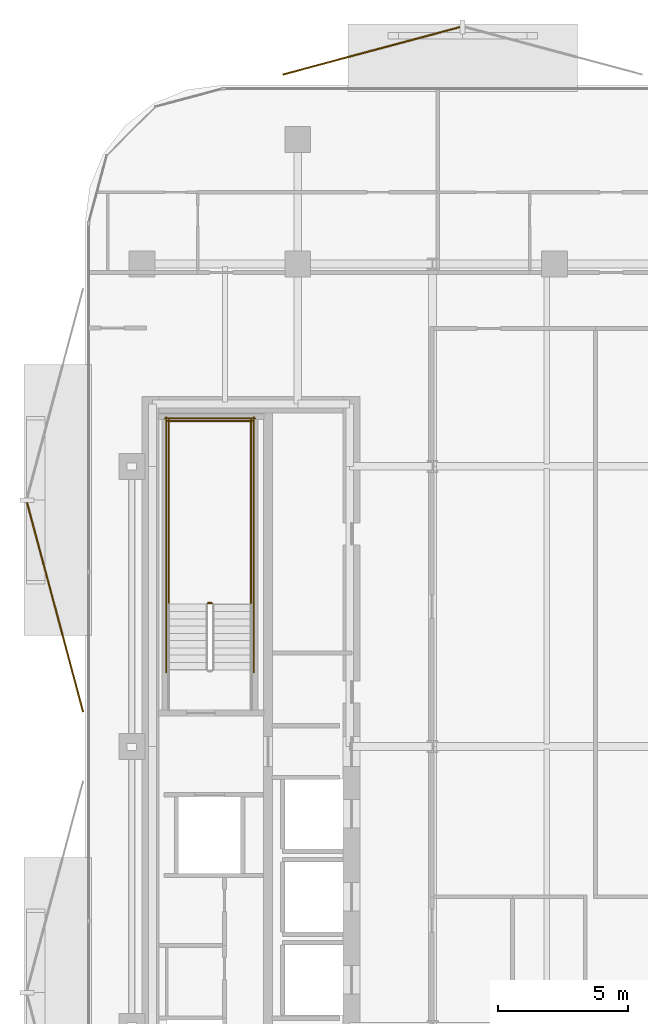
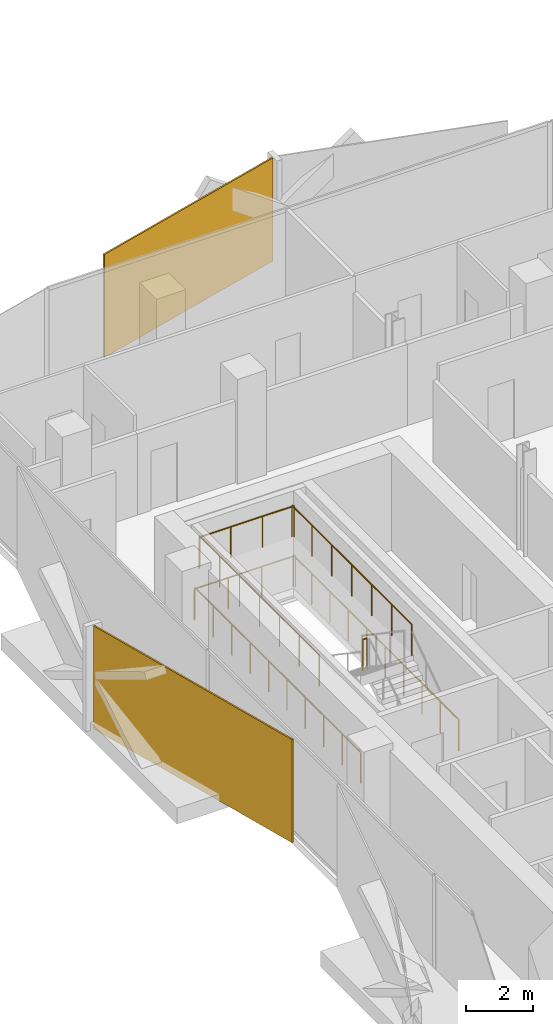
# One storey, part 15 of 16: 7 railings, 2 coverings.
"""IFC4 building model written with IfcOpenShell, lengths in metres."""

from ifc_helpers import new_model, si_unit, direction, frame, origin, origin_2d, place, context, subcontext, project, spatial, rectangle, circle, extrude, material, layer, layer_set, type_object, element, save


model = new_model("IFC4")

# Units and contexts
model_context = context("Model", 3, precision=1e-05, world=origin(), true_north=direction((0.0, 1.0)))
body_context = subcontext(model_context, "Body", "Model", "MODEL_VIEW")
ifc_project = project(units=[si_unit("LENGTHUNIT", "METRE"), si_unit("AREAUNIT", "SQUARE_METRE"), si_unit("VOLUMEUNIT", "CUBIC_METRE"), si_unit("PLANEANGLEUNIT", "RADIAN"), si_unit("MASSUNIT", "GRAM", prefix="KILO")], contexts=[model_context])

# Site, building, storey
site_placement = place(None, origin())
site = spatial("IfcSite", under=ifc_project, at=site_placement, CompositionType="ELEMENT")
building_placement = place(site_placement, origin())
building = spatial("IfcBuilding", under=site, at=building_placement, Name="Khairoan Windgate Tower", CompositionType="ELEMENT")
storey_placement = place(building_placement, frame((0.0, 0.0, 187.800048828125)))
storey = spatial("IfcBuildingStorey", under=building, at=storey_placement, Name="L43", CompositionType="ELEMENT", Elevation=187.800048828125)

# Coverings
ifc_material_1 = material(Name="Anodised Bronze Aluminium 6063-T6", Category="aluminium")
ifc_layer = layer(ifc_material_1, 0.054931640625, Name="Anodised Bronze Aluminium 6063-T6")
ifc_layer_set = layer_set([ifc_layer], Name="Anodised Bronze Aluminium 6063-T6")
covering_type = type_object("IfcCoveringType", Name="Perforated Bronze-Ceramic Folded Solar Screen Cladding BSC-1", PredefinedType="CLADDING", material=ifc_layer_set)
covering_1_placement = place(storey_placement, frame((-23.7587890625, 5.369873046875, -0.10009765625), z_axis=(0.0, 0.0, 1.0), x_axis=(-0.258819045103, 0.965925826289, 0.0)))
element("IfcCovering", 1, at=covering_1_placement, inside=storey, type_object=covering_type, Name="L43 Folded Bronze Solar Screen Facet 284L", PredefinedType="CLADDING", context=body_context, shape_type="SweptSolid", body=[
    extrude(rectangle(XDim=8.35595703125, YDim=0.054931640625, at=origin_2d()), origin(), (0.0, 0.0, 1.0), 3.739990234375),
])
covering_2_placement = place(storey_placement, frame((-11.5546875, 26.82373046875, -0.10009765625), z_axis=(0.0, 0.0, 1.0), x_axis=(0.965925826289, 0.258819045103, 0.0)))
element("IfcCovering", 2, at=covering_2_placement, inside=storey, type_object=covering_type, Name="L43 Folded Bronze Solar Screen Facet 285L", PredefinedType="CLADDING", context=body_context, shape_type="SweptSolid", body=[
    extrude(rectangle(XDim=7.080078125, YDim=0.054931640625, at=origin_2d()), origin(), (0.0, 0.0, 1.0), 3.739990234375),
])

# Railings
ifc_material_2 = material(Name="Steel S355", Category="steel")
railing_type = type_object("IfcRailingType", Name="Stairwell Safety Guardrail SGR-1150", PredefinedType="GUARDRAIL", material=ifc_material_2)
railing_1_placement = place(storey_placement, frame((-17.7099609375, 5.530029296875, 1.89990234375)))
element("IfcRailing", 3, at=railing_1_placement, inside=storey, type_object=railing_type, Name="L43 ST2 stair guard 2", PredefinedType="GUARDRAIL", context=body_context, shape_type="SweptSolid", body=[
    extrude(circle(Radius=0.02392578125, at=origin_2d()), frame((0.0, 0.0, 1.1259765625), z_axis=(-1.0, 0.0, 0.0), x_axis=(0.0, -1.0, 0.0)), (0.0, 0.0, 1.0), 0.150146484375),
    extrude(circle(Radius=0.02099609375, at=origin_2d()), origin(), (0.0, 0.0, 1.0), 1.101806640625),
    extrude(circle(Radius=0.02099609375, at=origin_2d()), frame((-0.150146484375, 0.0, 0.0)), (0.0, 0.0, 1.0), 1.101806640625),
])
for number, where, name in (
    (4, (-16.199951171875, 5.47998046875, 1.89990234375), "L43 ST2 stair guard 3"),
    (5, (-19.3701171875, 5.47998046875, 1.89990234375), "L43 ST2 stair guard 4"),
):
    element("IfcRailing", number, at=place(storey_placement, frame(where)), inside=storey, type_object=railing_type, Name=name, PredefinedType="GUARDRAIL", context=body_context, shape_type="SweptSolid", body=[
        extrude(circle(Radius=0.02392578125, at=origin_2d()), frame((0.0, 0.0, 1.1259765625), z_axis=(0.0, 1.0, 0.0), x_axis=(-1.0, 0.0, 0.0)), (0.0, 0.0, 1.0), 7.1201171875),
        extrude(circle(Radius=0.02099609375, at=origin_2d()), origin(), (0.0, 0.0, 1.0), 1.101806640625),
        extrude(circle(Radius=0.02099609375, at=origin_2d()), frame((0.0, 1.186767578125, 0.0)), (0.0, 0.0, 1.0), 1.101806640625),
        extrude(circle(Radius=0.02099609375, at=origin_2d()), frame((0.0, 2.373291015625, 0.0)), (0.0, 0.0, 1.0), 1.101806640625),
        extrude(circle(Radius=0.02099609375, at=origin_2d()), frame((0.0, 3.56005859375, 0.0)), (0.0, 0.0, 1.0), 1.101806640625),
        extrude(circle(Radius=0.02099609375, at=origin_2d()), frame((0.0, 4.746826171875, 0.0)), (0.0, 0.0, 1.0), 1.101806640625),
        extrude(circle(Radius=0.02099609375, at=origin_2d()), frame((0.0, 5.933349609375, 0.0)), (0.0, 0.0, 1.0), 1.101806640625),
        extrude(circle(Radius=0.02099609375, at=origin_2d()), frame((0.0, 7.1201171875, 0.0)), (0.0, 0.0, 1.0), 1.101806640625),
    ])
railing_2_placement = place(storey_placement, frame((-16.14990234375, 12.550048828125, 1.89990234375)))
element("IfcRailing", 6, at=railing_2_placement, inside=storey, type_object=railing_type, Name="L43 ST2 stair guard 5", PredefinedType="GUARDRAIL", context=body_context, shape_type="SweptSolid", body=[
    extrude(circle(Radius=0.02392578125, at=origin_2d()), frame((0.0, 0.0, 1.1259765625), z_axis=(-1.0, 0.0, 0.0), x_axis=(0.0, -1.0, 0.0)), (0.0, 0.0, 1.0), 3.27001953125),
    extrude(circle(Radius=0.02099609375, at=origin_2d()), origin(), (0.0, 0.0, 1.0), 1.101806640625),
    extrude(circle(Radius=0.02099609375, at=origin_2d()), frame((-1.090087890625, 0.0, 0.0)), (0.0, 0.0, 1.0), 1.101806640625),
    extrude(circle(Radius=0.02099609375, at=origin_2d()), frame((-2.179931640625, 0.0, 0.0)), (0.0, 0.0, 1.0), 1.101806640625),
    extrude(circle(Radius=0.02099609375, at=origin_2d()), frame((-3.27001953125, 0.0, 0.0)), (0.0, 0.0, 1.0), 1.101806640625),
])
for number, where, name in (
    (7, (-16.10009765625, 2.860107421875, 0.0), "L43 ST2 stair guard 10"),
    (8, (-19.469970703125, 2.860107421875, 0.0), "L43 ST2 stair guard 11"),
):
    element("IfcRailing", number, at=place(storey_placement, frame(where)), inside=storey, type_object=railing_type, Name=name, PredefinedType="GUARDRAIL", context=body_context, shape_type="SweptSolid", body=[
        extrude(circle(Radius=0.02392578125, at=origin_2d()), frame((0.0, 0.0, 1.1259765625), z_axis=(0.0, 1.0, 0.0), x_axis=(-1.0, 0.0, 0.0)), (0.0, 0.0, 1.0), 9.83984375),
        extrude(circle(Radius=0.02099609375, at=origin_2d()), origin(), (0.0, 0.0, 1.0), 1.101806640625),
        extrude(circle(Radius=0.02099609375, at=origin_2d()), frame((0.0, 1.09326171875, 0.0)), (0.0, 0.0, 1.0), 1.101806640625),
        extrude(circle(Radius=0.02099609375, at=origin_2d()), frame((0.0, 2.1865234375, 0.0)), (0.0, 0.0, 1.0), 1.101806640625),
        extrude(circle(Radius=0.02099609375, at=origin_2d()), frame((0.0, 3.280029296875, 0.0)), (0.0, 0.0, 1.0), 1.101806640625),
        extrude(circle(Radius=0.02099609375, at=origin_2d()), frame((0.0, 4.373291015625, 0.0)), (0.0, 0.0, 1.0), 1.101806640625),
        extrude(circle(Radius=0.02099609375, at=origin_2d()), frame((0.0, 5.466552734375, 0.0)), (0.0, 0.0, 1.0), 1.101806640625),
        extrude(circle(Radius=0.02099609375, at=origin_2d()), frame((0.0, 6.559814453125, 0.0)), (0.0, 0.0, 1.0), 1.101806640625),
        extrude(circle(Radius=0.02099609375, at=origin_2d()), frame((0.0, 7.6533203125, 0.0)), (0.0, 0.0, 1.0), 1.101806640625),
        extrude(circle(Radius=0.02099609375, at=origin_2d()), frame((0.0, 8.74658203125, 0.0)), (0.0, 0.0, 1.0), 1.101806640625),
        extrude(circle(Radius=0.02099609375, at=origin_2d()), frame((0.0, 9.83984375, 0.0)), (0.0, 0.0, 1.0), 1.101806640625),
    ])
railing_3_placement = place(storey_placement, frame((-16.050048828125, 12.64990234375, 0.0)))
element("IfcRailing", 9, at=railing_3_placement, inside=storey, type_object=railing_type, Name="L43 ST2 stair guard 12", PredefinedType="GUARDRAIL", context=body_context, shape_type="SweptSolid", body=[
    extrude(circle(Radius=0.02392578125, at=origin_2d()), frame((0.0, 0.0, 1.1259765625), z_axis=(-1.0, 0.0, 0.0), x_axis=(0.0, -1.0, 0.0)), (0.0, 0.0, 1.0), 3.469970703125),
    extrude(circle(Radius=0.02099609375, at=origin_2d()), origin(), (0.0, 0.0, 1.0), 1.101806640625),
    extrude(circle(Radius=0.02099609375, at=origin_2d()), frame((-1.15673828125, 0.0, 0.0)), (0.0, 0.0, 1.0), 1.101806640625),
    extrude(circle(Radius=0.02099609375, at=origin_2d()), frame((-2.313232421875, 0.0, 0.0)), (0.0, 0.0, 1.0), 1.101806640625),
    extrude(circle(Radius=0.02099609375, at=origin_2d()), frame((-3.469970703125, 0.0, 0.0)), (0.0, 0.0, 1.0), 1.101806640625),
])

save(model, "model.ifc")
